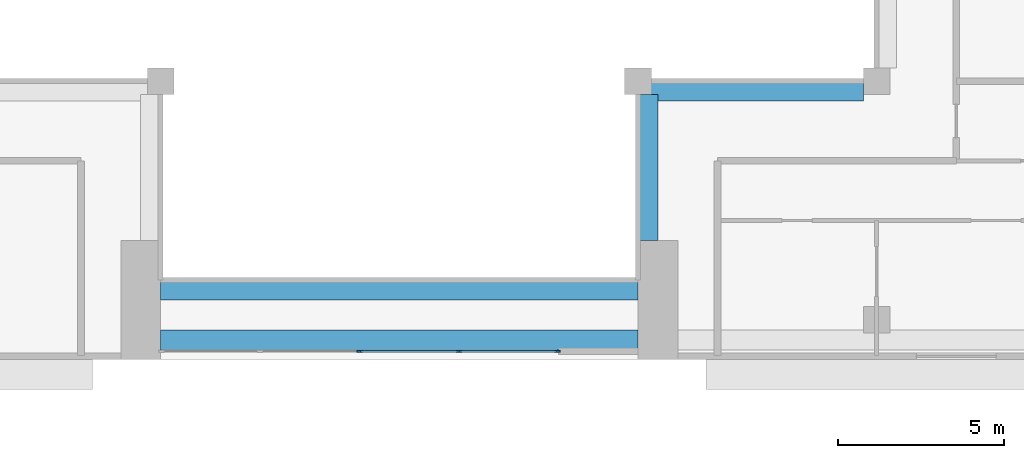
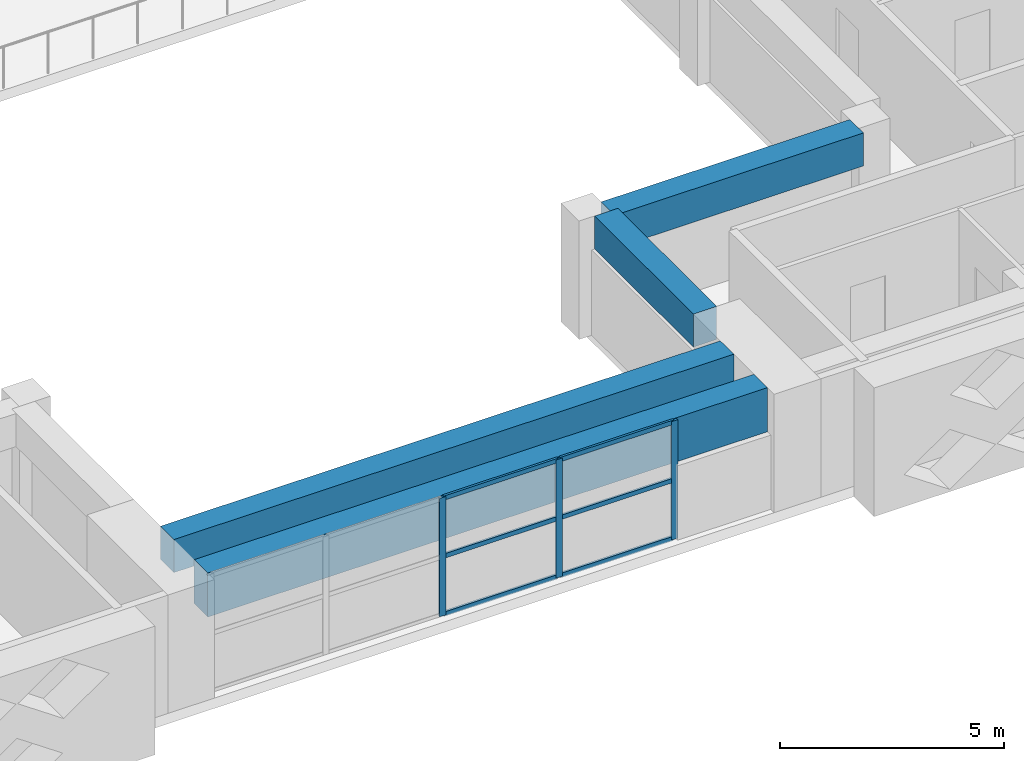
# One storey, part 4 of 19: 9 members, 4 beams, 1 element without a shape of its own.
"""IFC4 building model written with IfcOpenShell, lengths in metres."""

from ifc_helpers import new_model, si_unit, direction, frame, origin, origin_2d, place, context, subcontext, project, spatial, rectangle, extrude, source, transform, mapped, material, layer, layer_set, material_profile, profile_set, type_object, element, aggregate, save


model = new_model("IFC4")

# Units and contexts
model_context = context("Model", 3, precision=1e-05, world=origin(), true_north=direction((0.0, 1.0)))
body_context = subcontext(model_context, "Body", "Model", "MODEL_VIEW")
ifc_project = project(units=[si_unit("LENGTHUNIT", "METRE"), si_unit("AREAUNIT", "SQUARE_METRE"), si_unit("VOLUMEUNIT", "CUBIC_METRE"), si_unit("PLANEANGLEUNIT", "RADIAN"), si_unit("MASSUNIT", "GRAM", prefix="KILO")], contexts=[model_context])

# Site, building, storey
site_placement = place(None, origin())
site = spatial("IfcSite", under=ifc_project, at=site_placement, CompositionType="ELEMENT")
building_placement = place(site_placement, origin())
building = spatial("IfcBuilding", under=site, at=building_placement, Name="Saffron Iwan Residences", CompositionType="ELEMENT")
storey_placement = place(building_placement, frame((0.0, 0.0, 239.5)))
storey = spatial("IfcBuildingStorey", under=building, at=storey_placement, Name="L64", CompositionType="ELEMENT", Elevation=239.5)

# Beams
ifc_material_1 = material(Name="Concrete C40/50", Category="concrete")
ifc_material_profile_1 = material_profile(ifc_material_1, rectangle(XDim=0.60009765625, YDim=1.199951171875, at=origin_2d()), Name="RC 600x1200")
ifc_profile_set_1 = profile_set([ifc_material_profile_1], Name="Concrete C40/50")
beam_type_1 = type_object("IfcBeamType", Name="LINTEL BEAM RC 600x1200 C40/50 TOP 3220", PredefinedType="LINTEL", material=ifc_profile_set_1)
shared_shape_1 = source(origin(), body_context, "Body", "SweptSolid", [
    extrude(rectangle(XDim=0.60009765625, YDim=1.199951171875, at=origin_2d()), origin(), (0.0, 0.0, 1.0), 14.400146484375),
])
beam_1_placement = place(storey_placement, frame((57.60009765625, 40.199951171875, 2.6201171875), z_axis=(-1.0, 0.0, 0.0), x_axis=(0.0, -1.0, 0.0)))
element("IfcBeam", 1, at=beam_1_placement, inside=storey, type_object=beam_type_1, Name="Lintel beam over the iwan", PredefinedType="LINTEL", context=body_context, shape_type="MappedRepresentation", body=[
    mapped(shared_shape_1, transform((0.0, 0.0, 0.0))),
])
ifc_material_profile_2 = material_profile(ifc_material_1, rectangle(XDim=0.60009765625, YDim=0.89990234375, at=origin_2d()), Name="RC 600x900")
ifc_profile_set_2 = profile_set([ifc_material_profile_2], Name="Concrete C40/50")
beam_type_2 = type_object("IfcBeamType", Name="BEAM RC 600x900 C40/50 TOP 3220", PredefinedType="BEAM", material=ifc_profile_set_2)
shared_shape_2 = source(origin(), body_context, "Body", "SweptSolid", [
    extrude(rectangle(XDim=0.60009765625, YDim=0.89990234375, at=origin_2d()), origin(), (0.0, 0.0, 1.0), 14.400146484375),
])
beam_2_placement = place(storey_placement, frame((57.60009765625, 41.699951171875, 2.77001953125), z_axis=(-1.0, 0.0, 0.0), x_axis=(0.0, -1.0, 0.0)))
element("IfcBeam", 2, at=beam_2_placement, inside=storey, type_object=beam_type_2, Name="Atrium edge beam", PredefinedType="BEAM", context=body_context, shape_type="MappedRepresentation", body=[
    mapped(shared_shape_2, transform((0.0, 0.0, 0.0))),
])
shared_shape_3 = source(origin(), body_context, "Body", "SweptSolid", [
    extrude(rectangle(XDim=0.60009765625, YDim=0.89990234375, at=origin_2d()), origin(), (0.0, 0.0, 1.0), 4.400146484375),
])
beam_3_placement = place(storey_placement, frame((57.89990234375, 47.60009765625, 2.77001953125), z_axis=(0.0, -1.0, 0.0), x_axis=(1.0, 0.0, 0.0)))
element("IfcBeam", 3, at=beam_3_placement, inside=storey, type_object=beam_type_2, Name="Atrium edge beam", PredefinedType="BEAM", context=body_context, shape_type="MappedRepresentation", body=[
    mapped(shared_shape_3, transform((0.0, 0.0, 0.0))),
])
shared_shape_4 = source(origin(), body_context, "Body", "SweptSolid", [
    extrude(rectangle(XDim=0.60009765625, YDim=0.89990234375, at=origin_2d()), origin(), (0.0, 0.0, 1.0), 6.39990234375),
])
beam_4_placement = place(storey_placement, frame((64.39990234375, 47.699951171875, 2.77001953125), z_axis=(-1.0, 0.0, 0.0), x_axis=(0.0, -1.0, 0.0)))
element("IfcBeam", 4, at=beam_4_placement, inside=storey, type_object=beam_type_2, Name="Atrium edge beam", PredefinedType="BEAM", context=body_context, shape_type="MappedRepresentation", body=[
    mapped(shared_shape_4, transform((0.0, 0.0, 0.0))),
])

# Curtain wall, members
ifc_material_2 = material(Name="Clear glass, laminated double glazed", Category="glass")
ifc_layer = layer(ifc_material_2, 0.199951171875)
ifc_layer_set = layer_set([ifc_layer], Name="Clear glass, laminated double glazed")
curtain_wall_type = type_object("IfcCurtainWallType", Name="CW-B IWAN PORTAL", PredefinedType="NOTDEFINED", material=ifc_layer_set)
curtain_wall_placement = place(storey_placement, origin())
curtain_wall = element("IfcCurtainWall", 5, at=curtain_wall_placement, inside=storey, type_object=curtain_wall_type, Name="Iwan portal glazing L64.1", PredefinedType="NOTDEFINED")
ifc_material_3 = material(Name="Aluminium 6063-T6", Category="aluminium")
ifc_material_profile_3 = material_profile(ifc_material_3, rectangle(XDim=0.06005859375, YDim=0.1201171875, at=origin_2d()), Name="CW-B TRANSOM 60 x 120")
ifc_profile_set_3 = profile_set([ifc_material_profile_3], Name="Aluminium 6063-T6")
member_type_1 = type_object("IfcMemberType", Name="CW-B TRANSOM 60 x 120", PredefinedType="USERDEFINED", material=ifc_profile_set_3)
shared_shape_5 = source(origin(), body_context, "Body", "SweptSolid", [
    extrude(rectangle(XDim=0.06005859375, YDim=0.1201171875, at=origin_2d()), origin(), (0.0, 0.0, 1.0), 2.909912109375),
])
member_1_placement = place(storey_placement, frame((52.22998046875, 39.85009765625, 0.030029296875), z_axis=(1.0, 0.0, 0.0), x_axis=(0.0, 1.0, 0.0)))
member_1 = element("IfcMember", 6, at=member_1_placement, type_object=member_type_1, Name="CW-B transom 4.1", ObjectType="TRANSOM", PredefinedType="USERDEFINED", context=body_context, shape_type="MappedRepresentation", body=[
    mapped(shared_shape_5, transform((0.0, 0.0, 0.0))),
])
member_2_placement = place(storey_placement, frame((52.22998046875, 39.85009765625, 1.610107421875), z_axis=(1.0, 0.0, 0.0), x_axis=(0.0, 1.0, 0.0)))
member_2 = element("IfcMember", 7, at=member_2_placement, type_object=member_type_1, Name="CW-B transom 4.2", ObjectType="TRANSOM", PredefinedType="USERDEFINED", context=body_context, shape_type="MappedRepresentation", body=[
    mapped(shared_shape_5, transform((0.0, 0.0, 0.0))),
])
member_3_placement = place(storey_placement, frame((52.22998046875, 39.85009765625, 3.18994140625), z_axis=(1.0, 0.0, 0.0), x_axis=(0.0, 1.0, 0.0)))
member_3 = element("IfcMember", 8, at=member_3_placement, type_object=member_type_1, Name="CW-B transom 4.3", ObjectType="TRANSOM", PredefinedType="USERDEFINED", context=body_context, shape_type="MappedRepresentation", body=[
    mapped(shared_shape_5, transform((0.0, 0.0, 0.0))),
])
shared_shape_6 = source(origin(), body_context, "Body", "SweptSolid", [
    extrude(rectangle(XDim=0.06005859375, YDim=0.1201171875, at=origin_2d()), origin(), (0.0, 0.0, 1.0), 2.93994140625),
])
member_4_placement = place(storey_placement, frame((49.22998046875, 39.85009765625, 0.030029296875), z_axis=(1.0, 0.0, 0.0), x_axis=(0.0, 1.0, 0.0)))
member_4 = element("IfcMember", 9, at=member_4_placement, type_object=member_type_1, Name="CW-B transom 3.1", ObjectType="TRANSOM", PredefinedType="USERDEFINED", context=body_context, shape_type="MappedRepresentation", body=[
    mapped(shared_shape_6, transform((0.0, 0.0, 0.0))),
])
member_5_placement = place(storey_placement, frame((49.22998046875, 39.85009765625, 1.610107421875), z_axis=(1.0, 0.0, 0.0), x_axis=(0.0, 1.0, 0.0)))
member_5 = element("IfcMember", 10, at=member_5_placement, type_object=member_type_1, Name="CW-B transom 3.2", ObjectType="TRANSOM", PredefinedType="USERDEFINED", context=body_context, shape_type="MappedRepresentation", body=[
    mapped(shared_shape_6, transform((0.0, 0.0, 0.0))),
])
member_6_placement = place(storey_placement, frame((49.22998046875, 39.85009765625, 3.18994140625), z_axis=(1.0, 0.0, 0.0), x_axis=(0.0, 1.0, 0.0)))
member_6 = element("IfcMember", 11, at=member_6_placement, type_object=member_type_1, Name="CW-B transom 3.3", ObjectType="TRANSOM", PredefinedType="USERDEFINED", context=body_context, shape_type="MappedRepresentation", body=[
    mapped(shared_shape_6, transform((0.0, 0.0, 0.0))),
])
ifc_material_profile_4 = material_profile(ifc_material_3, rectangle(XDim=0.06005859375, YDim=0.159912109375, at=origin_2d()), Name="CW-B MULLION 60 x 160")
ifc_profile_set_4 = profile_set([ifc_material_profile_4], Name="Aluminium 6063-T6")
member_type_2 = type_object("IfcMemberType", Name="CW-B MULLION 60 x 160", PredefinedType="MULLION", material=ifc_profile_set_4)
shared_shape_7 = source(origin(), body_context, "Body", "SweptSolid", [
    extrude(rectangle(XDim=0.06005859375, YDim=0.159912109375, at=origin_2d()), origin(), (0.0, 0.0, 1.0), 3.219970703125),
])
member_7_placement = place(storey_placement, frame((49.199951171875, 39.85009765625, 0.0), z_axis=(0.0, 0.0, 1.0), x_axis=(0.0, 1.0, 0.0)))
member_7 = element("IfcMember", 12, at=member_7_placement, type_object=member_type_2, Name="CW-B mullion 3", PredefinedType="MULLION", context=body_context, shape_type="MappedRepresentation", body=[
    mapped(shared_shape_7, transform((0.0, 0.0, 0.0))),
])
member_8_placement = place(storey_placement, frame((52.199951171875, 39.85009765625, 0.0), z_axis=(0.0, 0.0, 1.0), x_axis=(0.0, 1.0, 0.0)))
member_8 = element("IfcMember", 13, at=member_8_placement, type_object=member_type_2, Name="CW-B mullion 4", PredefinedType="MULLION", context=body_context, shape_type="MappedRepresentation", body=[
    mapped(shared_shape_7, transform((0.0, 0.0, 0.0))),
])
member_9_placement = place(storey_placement, frame((55.169921875, 39.85009765625, 0.0), z_axis=(0.0, 0.0, 1.0), x_axis=(0.0, 1.0, 0.0)))
member_9 = element("IfcMember", 14, at=member_9_placement, type_object=member_type_2, Name="CW-B mullion 5", PredefinedType="MULLION", context=body_context, shape_type="MappedRepresentation", body=[
    mapped(shared_shape_7, transform((0.0, 0.0, 0.0))),
])
aggregate(curtain_wall, [member_7, member_8, member_9, member_4, member_5, member_6, member_1, member_2, member_3])

save(model, "model.ifc")
